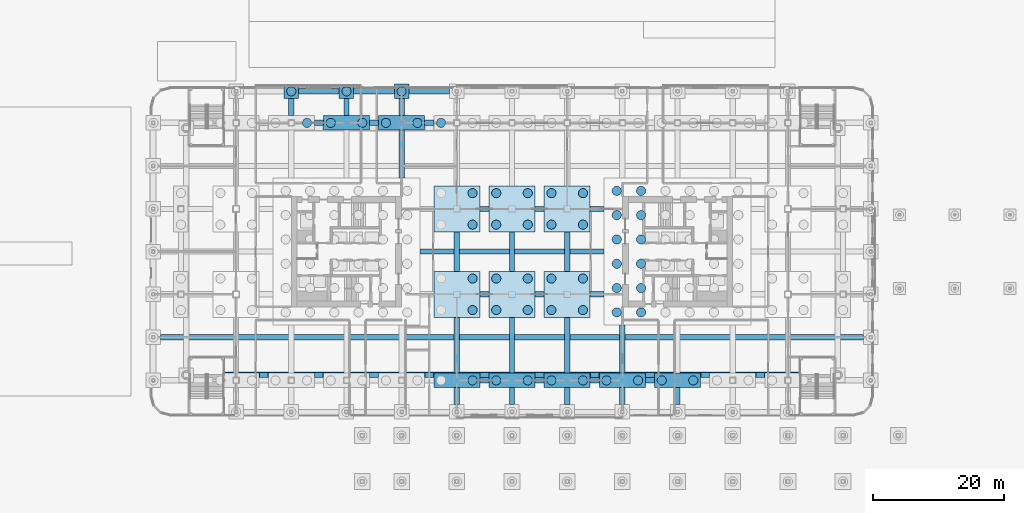
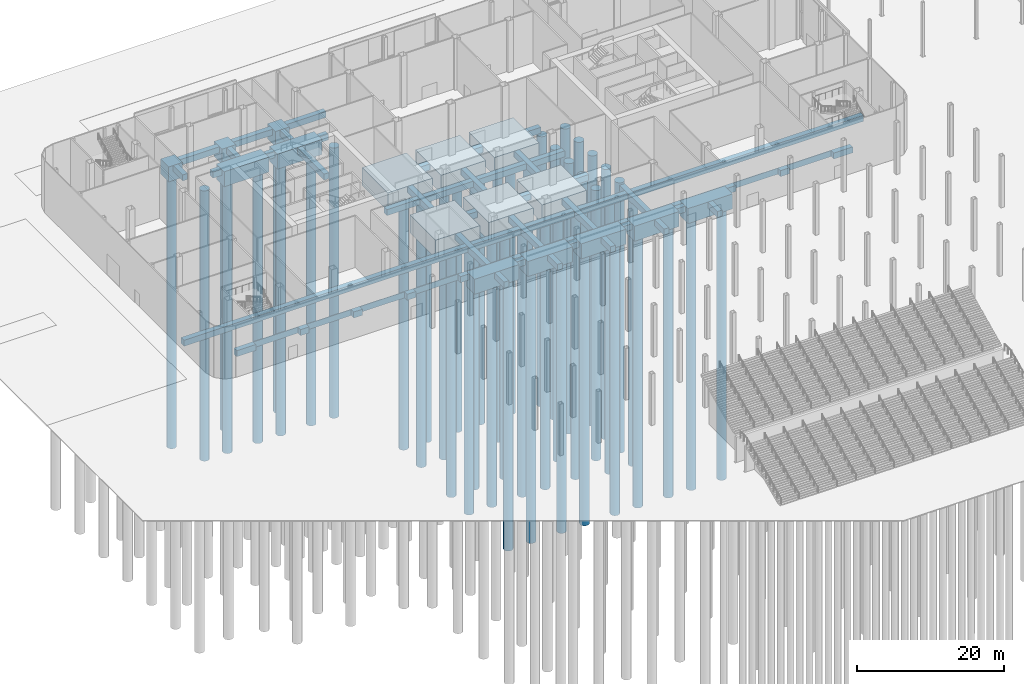
# One storey, part 4 of 113: 51 footings, 50 piles.
"""IFC4 building model written with IfcOpenShell, lengths in metres."""

from ifc_helpers import new_model, si_unit, direction, frame, origin, origin_2d, place, context, subcontext, project, spatial, polyline, circle, outline, extrude, material, layer, layer_set, material_profile, profile_set, type_object, element, save


model = new_model("IFC4")

# Units and contexts
model_context = context("Model", 3, precision=1e-05, world=origin(), true_north=direction((0.0, 1.0)))
body_context = subcontext(model_context, "Body", "Model", "MODEL_VIEW")
ifc_project = project(units=[si_unit("LENGTHUNIT", "METRE"), si_unit("AREAUNIT", "SQUARE_METRE"), si_unit("VOLUMEUNIT", "CUBIC_METRE"), si_unit("PLANEANGLEUNIT", "RADIAN"), si_unit("MASSUNIT", "GRAM", prefix="KILO")], contexts=[model_context])

# Site, building, storey
site_placement = place(None, origin())
site = spatial("IfcSite", under=ifc_project, at=site_placement, CompositionType="ELEMENT")
building_placement = place(site_placement, origin())
building = spatial("IfcBuilding", under=site, at=building_placement, Name="Hakoniwa Tower and Hamabe Station Hall", CompositionType="ELEMENT")
storey_placement = place(building_placement, origin())
storey = spatial("IfcBuildingStorey", under=building, at=storey_placement, Name="L01", CompositionType="ELEMENT", Elevation=0.0)

# Piles
ifc_material_1 = material(Name="Concrete C36", Category="concrete")
ifc_material_profile = material_profile(ifc_material_1, circle(Radius=0.699951171875, at=origin_2d()), Name="BORED PILE D1400")
ifc_profile_set = profile_set([ifc_material_profile], Name="Concrete C36")
pile_type = type_object("IfcPileType", Name="BORED PILE D1400", PredefinedType="BORED", material=ifc_profile_set)
for number, where, z_axis, x_axis, name in (
    (1, (15.949951171875, -9.25, -4.0), (0.0, 0.0, -1.0), (1.0, 0.0, 0.0), "Raft pile E-11"),
    (2, (15.949951171875, -5.550048828125, -4.0), (0.0, 0.0, -1.0), (1.0, 0.0, 0.0), "Raft pile E-12"),
    (3, (15.949951171875, -1.85009765625, -4.0), (0.0, 0.0, -1.0), (1.0, 0.0, 0.0), "Raft pile E-13"),
    (4, (15.949951171875, 1.85009765625, -4.0), (0.0, 0.0, -1.0), (1.0, 0.0, 0.0), "Raft pile E-14"),
    (5, (15.949951171875, 5.550048828125, -4.0), (0.0, 0.0, -1.0), (1.0, 0.0, 0.0), "Raft pile E-15"),
    (6, (15.949951171875, 9.25, -4.0), (0.0, 0.0, -1.0), (1.0, 0.0, 0.0), "Raft pile E-16"),
    (7, (19.64990234375, -9.25, -4.0), (0.0, 0.0, -1.0), (1.0, 0.0, 0.0), "Raft pile E-21"),
    (8, (19.64990234375, -5.550048828125, -4.0), (0.0, 0.0, -1.0), (1.0, 0.0, 0.0), "Raft pile E-22"),
    (9, (19.64990234375, -1.85009765625, -4.0), (0.0, 0.0, -1.0), (1.0, 0.0, 0.0), "Raft pile E-23"),
    (10, (19.64990234375, 1.85009765625, -4.0), (0.0, 0.0, -1.0), (1.0, 0.0, 0.0), "Raft pile E-24"),
    (11, (19.64990234375, 5.550048828125, -4.0), (0.0, 0.0, -1.0), (1.0, 0.0, 0.0), "Raft pile E-25"),
    (12, (19.64990234375, 9.25, -4.0), (0.0, 0.0, -1.0), (1.0, 0.0, 0.0), "Raft pile E-26"),
    (13, (-31.199951171875, 19.60009765625, -2.800048828125), (0.0, 0.0, -1.0), (1.0, 0.0, 0.0), "Pile P-3-G1 2"),
    (14, (-27.60009765625, 19.60009765625, -2.800048828125), (0.0, 0.0, -1.0), (1.0, 0.0, 0.0), "Pile P-4-G1 1"),
    (15, (-22.800048828125, 19.60009765625, -2.800048828125), (0.0, 0.0, -1.0), (1.0, 0.0, 0.0), "Pile P-4-G1 2"),
    (16, (-19.199951171875, 19.60009765625, -2.800048828125), (0.0, 0.0, -1.0), (1.0, 0.0, 0.0), "Pile P-5-G1 1"),
    (17, (-14.39990234375, 19.60009765625, -2.800048828125), (0.0, 0.0, -1.0), (1.0, 0.0, 0.0), "Pile P-5-G1 2"),
    (18, (-6.0, -19.60009765625, -2.800048828125), (0.0, 0.0, -1.0), (1.0, 0.0, 0.0), "Pile P-6-A1 2"),
    (19, (-6.0, -8.89990234375, -3.300048828125), (0.0, 0.0, -1.0), (1.0, 0.0, 0.0), "Pile P-6-C1 2-1"),
    (20, (-6.0, -4.10009765625, -3.300048828125), (0.0, 0.0, -1.0), (1.0, 0.0, 0.0), "Pile P-6-C1 2-2"),
    (21, (-6.0, 4.10009765625, -3.300048828125), (0.0, 0.0, -1.0), (1.0, 0.0, 0.0), "Pile P-6-E1 2-1"),
    (22, (-6.0, 8.89990234375, -3.300048828125), (0.0, 0.0, -1.0), (1.0, 0.0, 0.0), "Pile P-6-E1 2-2"),
    (23, (-10.800048828125, 19.60009765625, -2.800048828125), (0.0, 0.0, -1.0), (1.0, 0.0, 0.0), "Pile P-6-G1 1"),
    (24, (-2.39990234375, -19.60009765625, -2.800048828125), (0.0, 0.0, -1.0), (1.0, 0.0, 0.0), "Pile P-7-A1 1"),
    (25, (2.39990234375, -19.60009765625, -2.800048828125), (0.0, 0.0, -1.0), (1.0, 0.0, 0.0), "Pile P-7-A1 2"),
    (26, (-2.39990234375, -8.89990234375, -3.300048828125), (0.0, 0.0, -1.0), (1.0, 0.0, 0.0), "Pile P-7-C1 1-1"),
    (27, (-2.39990234375, -4.10009765625, -3.300048828125), (0.0, 0.0, -1.0), (1.0, 0.0, 0.0), "Pile P-7-C1 1-2"),
    (28, (2.39990234375, -8.89990234375, -3.300048828125), (0.0, 0.0, -1.0), (1.0, 0.0, 0.0), "Pile P-7-C1 2-1"),
    (29, (2.39990234375, -4.10009765625, -3.300048828125), (0.0, 0.0, -1.0), (1.0, 0.0, 0.0), "Pile P-7-C1 2-2"),
    (30, (-2.39990234375, 4.10009765625, -3.300048828125), (0.0, 0.0, -1.0), (1.0, 0.0, 0.0), "Pile P-7-E1 1-1"),
    (31, (-2.39990234375, 8.89990234375, -3.300048828125), (0.0, 0.0, -1.0), (1.0, 0.0, 0.0), "Pile P-7-E1 1-2"),
    (32, (2.39990234375, 4.10009765625, -3.300048828125), (0.0, 0.0, -1.0), (1.0, 0.0, 0.0), "Pile P-7-E1 2-1"),
    (33, (2.39990234375, 8.89990234375, -3.300048828125), (0.0, 0.0, -1.0), (1.0, 0.0, 0.0), "Pile P-7-E1 2-2"),
    (34, (6.0, -19.60009765625, -2.800048828125), (0.0, 0.0, -1.0), (1.0, 0.0, 0.0), "Pile P-8-A1 1"),
    (35, (10.800048828125, -19.60009765625, -2.800048828125), (0.0, 0.0, -1.0), (1.0, 0.0, 0.0), "Pile P-8-A1 2"),
    (36, (6.0, -8.89990234375, -3.300048828125), (0.0, 0.0, -1.0), (1.0, 0.0, 0.0), "Pile P-8-C1 1-1"),
    (37, (6.0, -4.10009765625, -3.300048828125), (0.0, 0.0, -1.0), (1.0, 0.0, 0.0), "Pile P-8-C1 1-2"),
    (38, (10.800048828125, -8.89990234375, -3.300048828125), (0.0, 0.0, -1.0), (1.0, 0.0, 0.0), "Pile P-8-C1 2-1"),
    (39, (10.800048828125, -4.10009765625, -3.300048828125), (0.0, 0.0, -1.0), (1.0, 0.0, 0.0), "Pile P-8-C1 2-2"),
    (40, (6.0, 4.10009765625, -3.300048828125), (0.0, 0.0, -1.0), (1.0, 0.0, 0.0), "Pile P-8-E1 1-1"),
    (41, (6.0, 8.89990234375, -3.300048828125), (0.0, 0.0, -1.0), (1.0, 0.0, 0.0), "Pile P-8-E1 1-2"),
    (42, (10.800048828125, 4.10009765625, -3.300048828125), (0.0, 0.0, -1.0), (1.0, 0.0, 0.0), "Pile P-8-E1 2-1"),
    (43, (10.800048828125, 8.89990234375, -3.300048828125), (0.0, 0.0, -1.0), (1.0, 0.0, 0.0), "Pile P-8-E1 2-2"),
    (44, (14.39990234375, -19.60009765625, -2.800048828125), (0.0, 0.0, -1.0), (1.0, 0.0, 0.0), "Pile P-9-A1 1"),
    (45, (19.199951171875, -19.60009765625, -2.800048828125), (0.0, 0.0, -1.0), (1.0, 0.0, 0.0), "Pile P-9-A1 2"),
    (46, (22.800048828125, -19.60009765625, -2.800048828125), (0.0, 0.0, -1.0), (1.0, 0.0, 0.0), "Pile P-10-A1 1"),
    (47, (27.60009765625, -19.60009765625, -2.800048828125), (0.0, 0.0, -1.0), (1.0, 0.0, 0.0), "Pile P-10-A1 2"),
    (48, (-33.60009765625, 24.39990234375, -2.800048828125), (0.0, 0.0, -1.0), (1.0, 0.0, 0.0), "Pile P-3-RN 1"),
    (49, (-25.199951171875, 24.39990234375, -2.800048828125), (0.0, 0.0, -1.0), (1.0, 0.0, 0.0), "Pile P-4-RN 1"),
    (50, (-16.800048828125, 24.39990234375, -2.800048828125), (0.0, 0.0, -1.0), (1.0, 0.0, 0.0), "Pile P-5-RN 1"),
):
    element("IfcPile", number, at=place(storey_placement, frame(where, z_axis=z_axis, x_axis=x_axis)), inside=storey, type_object=pile_type, Name=name, PredefinedType="BORED", context=body_context, shape_type="SweptSolid", body=[
        extrude(circle(Radius=0.699951171875, at=origin_2d()), origin(), (0.0, 0.0, 1.0), 45.0),
    ])

# Footings
ifc_material_2 = material(Name="Concrete C36", Category="concrete")
ifc_layer_1 = layer(ifc_material_2, 1.0)
ifc_layer_set_1 = layer_set([ifc_layer_1], Name="GROUND TIE BEAM")
footing_type_1 = type_object("IfcFootingType", Name="GROUND TIE BEAM", PredefinedType="FOOTING_BEAM", material=ifc_layer_set_1)
footing_1_placement = place(storey_placement, frame((0.0, 0.0, -1.300048828125)))
element("IfcFooting", 51, at=footing_1_placement, inside=storey, type_object=footing_type_1, Name="Ground tie P-6-A1 to P-7-A1", PredefinedType="FOOTING_BEAM", context=body_context, shape_type="SweptSolid", body=[
    extrude(outline(polyline([(-4.89990234375, -19.199951171875), (-4.89990234375, -20.0), (-3.5, -20.0), (-3.5, -19.199951171875), (-4.89990234375, -19.199951171875)])), origin(), (0.0, 0.0, 1.0), 1.0),
])
footing_2_placement = place(storey_placement, frame((0.0, 0.0, -1.300048828125)))
element("IfcFooting", 52, at=footing_2_placement, inside=storey, type_object=footing_type_1, Name="Ground tie P-7-A1 to P-8-A1", PredefinedType="FOOTING_BEAM", context=body_context, shape_type="SweptSolid", body=[
    extrude(outline(polyline([(3.5, -19.199951171875), (3.5, -20.0), (4.89990234375, -20.0), (4.89990234375, -19.199951171875), (3.5, -19.199951171875)])), origin(), (0.0, 0.0, 1.0), 1.0),
])
footing_3_placement = place(storey_placement, frame((0.0, 0.0, -1.300048828125)))
element("IfcFooting", 53, at=footing_3_placement, inside=storey, type_object=footing_type_1, Name="Ground tie P-8-A1 to P-9-A1", PredefinedType="FOOTING_BEAM", context=body_context, shape_type="SweptSolid", body=[
    extrude(outline(polyline([(11.89990234375, -19.199951171875), (11.89990234375, -20.0), (13.300048828125, -20.0), (13.300048828125, -19.199951171875), (11.89990234375, -19.199951171875)])), origin(), (0.0, 0.0, 1.0), 1.0),
])
footing_4_placement = place(storey_placement, frame((0.0, 0.0, -1.300048828125)))
element("IfcFooting", 54, at=footing_4_placement, inside=storey, type_object=footing_type_1, Name="Ground tie P-9-A1 to P-10-A1", PredefinedType="FOOTING_BEAM", context=body_context, shape_type="SweptSolid", body=[
    extrude(outline(polyline([(20.300048828125, -19.199951171875), (20.300048828125, -20.0), (21.699951171875, -20.0), (21.699951171875, -19.199951171875), (20.300048828125, -19.199951171875)])), origin(), (0.0, 0.0, 1.0), 1.0),
])
footing_5_placement = place(storey_placement, frame((0.0, 0.0, -1.300048828125)))
element("IfcFooting", 55, at=footing_5_placement, inside=storey, type_object=footing_type_1, Name="Ground tie P-1-A1 to P-13-A1", PredefinedType="FOOTING_BEAM", context=body_context, shape_type="SweptSolid", body=[
    extrude(outline(polyline([(-30.10009765625, -18.5), (-30.10009765625, -19.203125), (-28.699951171875, -19.203125), (-28.699951171875, -18.5), (-21.699951171875, -18.5), (-21.699951171875, -19.203125), (-20.300048828125, -19.203125), (-20.300048828125, -18.5), (-13.300048828125, -18.5), (-13.300048828125, -19.203125), (-11.89990234375, -19.203125), (-11.89990234375, -18.5), (-4.89990234375, -18.5), (-4.89990234375, -19.203125), (-3.5, -19.203125), (-3.5, -18.5), (3.5, -18.5), (3.5, -19.203125), (4.89990234375, -19.203125), (4.89990234375, -18.5), (11.89990234375, -18.5), (11.89990234375, -19.203125), (13.300048828125, -19.203125), (13.300048828125, -18.5), (20.300048828125, -18.5), (20.300048828125, -19.203125), (21.699951171875, -19.203125), (21.699951171875, -18.5), (28.699951171875, -18.5), (28.699951171875, -19.203125), (30.10009765625, -19.203125), (30.10009765625, -18.5), (37.10009765625, -18.5), (37.10009765625, -19.203125), (38.5, -19.203125), (38.5, -18.5), (45.5, -18.5), (45.5, -19.203125), (48.503173828125, -19.203125), (48.503173828125, -18.403076171875), (-48.503173828125, -18.403076171875), (-48.503173828125, -19.203125), (-45.5, -19.203125), (-45.5, -18.5), (-38.5, -18.5), (-38.5, -19.203125), (-37.10009765625, -19.203125), (-37.10009765625, -18.5), (-30.10009765625, -18.5)])), origin(), (0.0, 0.0, 1.0), 1.0),
])
footing_6_placement = place(storey_placement, frame((0.0, 0.0, -1.300048828125)))
element("IfcFooting", 56, at=footing_6_placement, inside=storey, type_object=footing_type_1, Name="Ground tie P-RW-B1 to P-RE-B1", PredefinedType="FOOTING_BEAM", context=body_context, shape_type="SweptSolid", body=[
    extrude(outline(polyline([(-53.5, -12.64990234375), (-53.5, -13.449951171875), (53.5, -13.449951171875), (53.5, -12.64990234375), (-53.5, -12.64990234375)])), origin(), (0.0, 0.0, 1.0), 1.0),
])
footing_7_placement = place(storey_placement, frame((0.0, 0.0, -1.300048828125)))
element("IfcFooting", 57, at=footing_7_placement, inside=storey, type_object=footing_type_1, Name="Ground tie P-6-C1 to P-7-C1", PredefinedType="FOOTING_BEAM", context=body_context, shape_type="SweptSolid", body=[
    extrude(outline(polyline([(-4.89990234375, -6.10009765625), (-4.89990234375, -6.89990234375), (-3.5, -6.89990234375), (-3.5, -6.10009765625), (-4.89990234375, -6.10009765625)])), origin(), (0.0, 0.0, 1.0), 1.0),
])
footing_8_placement = place(storey_placement, frame((0.0, 0.0, -1.300048828125)))
element("IfcFooting", 58, at=footing_8_placement, inside=storey, type_object=footing_type_1, Name="Ground tie P-7-C1 to P-8-C1", PredefinedType="FOOTING_BEAM", context=body_context, shape_type="SweptSolid", body=[
    extrude(outline(polyline([(3.5, -6.10009765625), (3.5, -6.89990234375), (4.89990234375, -6.89990234375), (4.89990234375, -6.10009765625), (3.5, -6.10009765625)])), origin(), (0.0, 0.0, 1.0), 1.0),
])
footing_9_placement = place(storey_placement, frame((0.0, 0.0, -1.300048828125)))
element("IfcFooting", 59, at=footing_9_placement, inside=storey, type_object=footing_type_1, Name="Ground tie P-8-C1 to P-12-C1", PredefinedType="FOOTING_BEAM", context=body_context, shape_type="SweptSolid", body=[
    extrude(outline(polyline([(11.89990234375, -6.10009765625), (11.89990234375, -6.89990234375), (14.0, -6.89990234375), (14.0, -6.10009765625), (11.89990234375, -6.10009765625)])), origin(), (0.0, 0.0, 1.0), 1.0),
])
footing_10_placement = place(storey_placement, frame((0.0, 0.0, -1.300048828125)))
element("IfcFooting", 60, at=footing_10_placement, inside=storey, type_object=footing_type_1, Name="Ground tie P-RW-D1 to P-RE-D1 2", PredefinedType="FOOTING_BEAM", context=body_context, shape_type="SweptSolid", body=[
    extrude(outline(polyline([(-14.0, -0.39990234375), (14.0, -0.39990234375), (14.0, 0.39990234375), (-14.0, 0.39990234375), (-14.0, -0.39990234375)])), origin(), (0.0, 0.0, 1.0), 1.0),
])
footing_11_placement = place(storey_placement, frame((0.0, 0.0, -1.300048828125)))
element("IfcFooting", 61, at=footing_11_placement, inside=storey, type_object=footing_type_1, Name="Ground tie P-6-E1 to P-7-E1", PredefinedType="FOOTING_BEAM", context=body_context, shape_type="SweptSolid", body=[
    extrude(outline(polyline([(-4.89990234375, 6.89990234375), (-4.89990234375, 6.10009765625), (-3.5, 6.10009765625), (-3.5, 6.89990234375), (-4.89990234375, 6.89990234375)])), origin(), (0.0, 0.0, 1.0), 1.0),
])
footing_12_placement = place(storey_placement, frame((0.0, 0.0, -1.300048828125)))
element("IfcFooting", 62, at=footing_12_placement, inside=storey, type_object=footing_type_1, Name="Ground tie P-7-E1 to P-8-E1", PredefinedType="FOOTING_BEAM", context=body_context, shape_type="SweptSolid", body=[
    extrude(outline(polyline([(3.5, 6.89990234375), (3.5, 6.10009765625), (4.89990234375, 6.10009765625), (4.89990234375, 6.89990234375), (3.5, 6.89990234375)])), origin(), (0.0, 0.0, 1.0), 1.0),
])
footing_13_placement = place(storey_placement, frame((0.0, 0.0, -1.300048828125)))
element("IfcFooting", 63, at=footing_13_placement, inside=storey, type_object=footing_type_1, Name="Ground tie P-8-E1 to P-12-E1", PredefinedType="FOOTING_BEAM", context=body_context, shape_type="SweptSolid", body=[
    extrude(outline(polyline([(11.89990234375, 6.89990234375), (11.89990234375, 6.10009765625), (14.0, 6.10009765625), (14.0, 6.89990234375), (11.89990234375, 6.89990234375)])), origin(), (0.0, 0.0, 1.0), 1.0),
])
footing_14_placement = place(storey_placement, frame((0.0, 0.0, -1.300048828125)))
element("IfcFooting", 64, at=footing_14_placement, inside=storey, type_object=footing_type_1, Name="Ground tie P-3-G1 to P-4-G1", PredefinedType="FOOTING_BEAM", context=body_context, shape_type="SweptSolid", body=[
    extrude(outline(polyline([(-30.10009765625, 20.0), (-30.10009765625, 19.199951171875), (-28.699951171875, 19.199951171875), (-28.699951171875, 20.0), (-30.10009765625, 20.0)])), origin(), (0.0, 0.0, 1.0), 1.0),
])
footing_15_placement = place(storey_placement, frame((0.0, 0.0, -1.300048828125)))
element("IfcFooting", 65, at=footing_15_placement, inside=storey, type_object=footing_type_1, Name="Ground tie P-4-G1 to P-5-G1", PredefinedType="FOOTING_BEAM", context=body_context, shape_type="SweptSolid", body=[
    extrude(outline(polyline([(-21.699951171875, 20.0), (-21.699951171875, 19.199951171875), (-20.300048828125, 19.199951171875), (-20.300048828125, 20.0), (-21.699951171875, 20.0)])), origin(), (0.0, 0.0, 1.0), 1.0),
])
footing_16_placement = place(storey_placement, frame((0.0, 0.0, -1.300048828125)))
element("IfcFooting", 66, at=footing_16_placement, inside=storey, type_object=footing_type_1, Name="Ground tie P-5-G1 to P-6-G1", PredefinedType="FOOTING_BEAM", context=body_context, shape_type="SweptSolid", body=[
    extrude(outline(polyline([(-13.300048828125, 20.0), (-13.300048828125, 19.199951171875), (-11.89990234375, 19.199951171875), (-11.89990234375, 20.0), (-13.300048828125, 20.0)])), origin(), (0.0, 0.0, 1.0), 1.0),
])
footing_17_placement = place(storey_placement, frame((0.0, 0.0, -1.300048828125)))
element("IfcFooting", 67, at=footing_17_placement, inside=storey, type_object=footing_type_1, Name="Ground tie P-3-RN to P-4-RN", PredefinedType="FOOTING_BEAM", context=body_context, shape_type="SweptSolid", body=[
    extrude(outline(polyline([(-32.5, 24.800048828125), (-32.5, 24.0), (-26.300048828125, 24.0), (-26.300048828125, 24.800048828125), (-32.5, 24.800048828125)])), origin(), (0.0, 0.0, 1.0), 1.0),
])
footing_18_placement = place(storey_placement, frame((0.0, 0.0, -1.300048828125)))
element("IfcFooting", 68, at=footing_18_placement, inside=storey, type_object=footing_type_1, Name="Ground tie P-4-RN to P-5-RN", PredefinedType="FOOTING_BEAM", context=body_context, shape_type="SweptSolid", body=[
    extrude(outline(polyline([(-24.10009765625, 24.800048828125), (-24.10009765625, 24.0), (-17.89990234375, 24.0), (-17.89990234375, 24.800048828125), (-24.10009765625, 24.800048828125)])), origin(), (0.0, 0.0, 1.0), 1.0),
])
footing_19_placement = place(storey_placement, frame((0.0, 0.0, -1.300048828125)))
element("IfcFooting", 69, at=footing_19_placement, inside=storey, type_object=footing_type_1, Name="Ground tie P-5-RN to P-6-RN", PredefinedType="FOOTING_BEAM", context=body_context, shape_type="SweptSolid", body=[
    extrude(outline(polyline([(-15.699951171875, 24.800048828125), (-15.699951171875, 24.0), (-9.5, 24.0), (-9.5, 24.800048828125), (-15.699951171875, 24.800048828125)])), origin(), (0.0, 0.0, 1.0), 1.0),
])
footing_20_placement = place(storey_placement, frame((0.0, 0.0, -1.300048828125)))
element("IfcFooting", 70, at=footing_20_placement, inside=storey, type_object=footing_type_1, Name="Ground tie P-3-G1 to P-3-RN 1", PredefinedType="FOOTING_BEAM", context=body_context, shape_type="SweptSolid", body=[
    extrude(outline(polyline([(-34.0, 23.300048828125), (-34.0, 20.699951171875), (-33.199951171875, 20.699951171875), (-33.199951171875, 23.300048828125), (-34.0, 23.300048828125)])), origin(), (0.0, 0.0, 1.0), 1.0),
])
footing_21_placement = place(storey_placement, frame((0.0, 0.0, -1.300048828125)))
element("IfcFooting", 71, at=footing_21_placement, inside=storey, type_object=footing_type_1, Name="Ground tie P-4-G1 to P-4-RN 1", PredefinedType="FOOTING_BEAM", context=body_context, shape_type="SweptSolid", body=[
    extrude(outline(polyline([(-25.60009765625, 23.300048828125), (-25.60009765625, 20.699951171875), (-24.800048828125, 20.699951171875), (-24.800048828125, 23.300048828125), (-25.60009765625, 23.300048828125)])), origin(), (0.0, 0.0, 1.0), 1.0),
])
footing_22_placement = place(storey_placement, frame((0.0, 0.0, -1.300048828125)))
element("IfcFooting", 72, at=footing_22_placement, inside=storey, type_object=footing_type_1, Name="Ground tie P-5-A1 to P-5-G1 2", PredefinedType="FOOTING_BEAM", context=body_context, shape_type="SweptSolid", body=[
    extrude(outline(polyline([(-16.39990234375, 18.5), (-17.199951171875, 18.5), (-17.199951171875, 11.199951171875), (-16.39990234375, 11.199951171875), (-16.39990234375, 18.5)])), origin(), (0.0, 0.0, 1.0), 1.0),
])
footing_23_placement = place(storey_placement, frame((0.0, 0.0, -1.300048828125)))
element("IfcFooting", 73, at=footing_23_placement, inside=storey, type_object=footing_type_1, Name="Ground tie P-5-G1 to P-5-RN 1", PredefinedType="FOOTING_BEAM", context=body_context, shape_type="SweptSolid", body=[
    extrude(outline(polyline([(-17.199951171875, 23.300048828125), (-17.199951171875, 20.699951171875), (-16.39990234375, 20.699951171875), (-16.39990234375, 23.300048828125), (-17.199951171875, 23.300048828125)])), origin(), (0.0, 0.0, 1.0), 1.0),
])
footing_24_placement = place(storey_placement, frame((0.0, 0.0, -1.300048828125)))
element("IfcFooting", 74, at=footing_24_placement, inside=storey, type_object=footing_type_1, Name="Ground tie P-6-RS to P-6-A1 1", PredefinedType="FOOTING_BEAM", context=body_context, shape_type="SweptSolid", body=[
    extrude(outline(polyline([(-8.800048828125, -20.699951171875), (-8.800048828125, -23.300048828125), (-8.0, -23.300048828125), (-8.0, -20.699951171875), (-8.800048828125, -20.699951171875)])), origin(), (0.0, 0.0, 1.0), 1.0),
])
footing_25_placement = place(storey_placement, frame((0.0, 0.0, -1.300048828125)))
element("IfcFooting", 75, at=footing_25_placement, inside=storey, type_object=footing_type_1, Name="Ground tie P-6-A1 to P-6-C1 1", PredefinedType="FOOTING_BEAM", context=body_context, shape_type="SweptSolid", body=[
    extrude(outline(polyline([(-8.800048828125, -10.0), (-8.800048828125, -18.5), (-8.0, -18.5), (-8.0, -10.0), (-8.800048828125, -10.0)])), origin(), (0.0, 0.0, 1.0), 1.0),
])
footing_26_placement = place(storey_placement, frame((0.0, 0.0, -1.300048828125)))
element("IfcFooting", 76, at=footing_26_placement, inside=storey, type_object=footing_type_1, Name="Ground tie P-6-C1 to P-6-E1 1", PredefinedType="FOOTING_BEAM", context=body_context, shape_type="SweptSolid", body=[
    extrude(outline(polyline([(-8.800048828125, 3.0), (-8.800048828125, -3.0), (-8.0, -3.0), (-8.0, 3.0), (-8.800048828125, 3.0)])), origin(), (0.0, 0.0, 1.0), 1.0),
])
footing_27_placement = place(storey_placement, frame((0.0, 0.0, -1.300048828125)))
element("IfcFooting", 77, at=footing_27_placement, inside=storey, type_object=footing_type_1, Name="Ground tie P-7-RS to P-7-A1 1", PredefinedType="FOOTING_BEAM", context=body_context, shape_type="SweptSolid", body=[
    extrude(outline(polyline([(-0.39990234375, -20.699951171875), (-0.39990234375, -23.300048828125), (0.39990234375, -23.300048828125), (0.39990234375, -20.699951171875), (-0.39990234375, -20.699951171875)])), origin(), (0.0, 0.0, 1.0), 1.0),
])
footing_28_placement = place(storey_placement, frame((0.0, 0.0, -1.300048828125)))
element("IfcFooting", 78, at=footing_28_placement, inside=storey, type_object=footing_type_1, Name="Ground tie P-7-A1 to P-7-C1 1", PredefinedType="FOOTING_BEAM", context=body_context, shape_type="SweptSolid", body=[
    extrude(outline(polyline([(-0.39990234375, -10.0), (-0.39990234375, -18.5), (0.39990234375, -18.5), (0.39990234375, -10.0), (-0.39990234375, -10.0)])), origin(), (0.0, 0.0, 1.0), 1.0),
])
footing_29_placement = place(storey_placement, frame((0.0, 0.0, -1.300048828125)))
element("IfcFooting", 79, at=footing_29_placement, inside=storey, type_object=footing_type_1, Name="Ground tie P-7-C1 to P-7-E1 1", PredefinedType="FOOTING_BEAM", context=body_context, shape_type="SweptSolid", body=[
    extrude(outline(polyline([(-0.39990234375, 3.0), (-0.39990234375, -3.0), (0.39990234375, -3.0), (0.39990234375, 3.0), (-0.39990234375, 3.0)])), origin(), (0.0, 0.0, 1.0), 1.0),
])
footing_30_placement = place(storey_placement, frame((0.0, 0.0, -1.300048828125)))
element("IfcFooting", 80, at=footing_30_placement, inside=storey, type_object=footing_type_1, Name="Ground tie P-8-RS to P-8-A1 1", PredefinedType="FOOTING_BEAM", context=body_context, shape_type="SweptSolid", body=[
    extrude(outline(polyline([(8.0, -20.699951171875), (8.0, -23.300048828125), (8.800048828125, -23.300048828125), (8.800048828125, -20.699951171875), (8.0, -20.699951171875)])), origin(), (0.0, 0.0, 1.0), 1.0),
])
footing_31_placement = place(storey_placement, frame((0.0, 0.0, -1.300048828125)))
element("IfcFooting", 81, at=footing_31_placement, inside=storey, type_object=footing_type_1, Name="Ground tie P-8-A1 to P-8-C1 1", PredefinedType="FOOTING_BEAM", context=body_context, shape_type="SweptSolid", body=[
    extrude(outline(polyline([(8.0, -10.0), (8.0, -18.5), (8.800048828125, -18.5), (8.800048828125, -10.0), (8.0, -10.0)])), origin(), (0.0, 0.0, 1.0), 1.0),
])
footing_32_placement = place(storey_placement, frame((0.0, 0.0, -1.300048828125)))
element("IfcFooting", 82, at=footing_32_placement, inside=storey, type_object=footing_type_1, Name="Ground tie P-8-C1 to P-8-E1 1", PredefinedType="FOOTING_BEAM", context=body_context, shape_type="SweptSolid", body=[
    extrude(outline(polyline([(8.0, 3.0), (8.0, -3.0), (8.800048828125, -3.0), (8.800048828125, 3.0), (8.0, 3.0)])), origin(), (0.0, 0.0, 1.0), 1.0),
])
footing_33_placement = place(storey_placement, frame((0.0, 0.0, -1.300048828125)))
element("IfcFooting", 83, at=footing_33_placement, inside=storey, type_object=footing_type_1, Name="Ground tie P-9-RS to P-9-A1 1", PredefinedType="FOOTING_BEAM", context=body_context, shape_type="SweptSolid", body=[
    extrude(outline(polyline([(16.39990234375, -20.699951171875), (16.39990234375, -23.300048828125), (17.199951171875, -23.300048828125), (17.199951171875, -20.699951171875), (16.39990234375, -20.699951171875)])), origin(), (0.0, 0.0, 1.0), 1.0),
])
footing_34_placement = place(storey_placement, frame((0.0, 0.0, -1.300048828125)))
element("IfcFooting", 84, at=footing_34_placement, inside=storey, type_object=footing_type_1, Name="Ground tie P-9-A1 to P-9-G1 1", PredefinedType="FOOTING_BEAM", context=body_context, shape_type="SweptSolid", body=[
    extrude(outline(polyline([(16.39990234375, -11.199951171875), (16.39990234375, -18.5), (17.199951171875, -18.5), (17.199951171875, -11.199951171875), (16.39990234375, -11.199951171875)])), origin(), (0.0, 0.0, 1.0), 1.0),
])
footing_35_placement = place(storey_placement, frame((0.0, 0.0, -1.300048828125)))
element("IfcFooting", 85, at=footing_35_placement, inside=storey, type_object=footing_type_1, Name="Ground tie P-10-RS to P-10-A1 1", PredefinedType="FOOTING_BEAM", context=body_context, shape_type="SweptSolid", body=[
    extrude(outline(polyline([(24.800048828125, -20.699951171875), (24.800048828125, -23.300048828125), (25.60009765625, -23.300048828125), (25.60009765625, -20.699951171875), (24.800048828125, -20.699951171875)])), origin(), (0.0, 0.0, 1.0), 1.0),
])
ifc_material_3 = material(Name="Concrete C36", Category="concrete")
ifc_layer_2 = layer(ifc_material_3, 2.5)
ifc_layer_set_2 = layer_set([ifc_layer_2], Name="PILE CAP 1 PILE")
footing_type_2 = type_object("IfcFootingType", Name="PILE CAP 1 PILE", PredefinedType="PILE_CAP", material=ifc_layer_set_2)
footing_36_placement = place(storey_placement, frame((0.0, 0.0, -2.800048828125)))
element("IfcFooting", 86, at=footing_36_placement, inside=storey, type_object=footing_type_2, Name="Pile cap P-3-RN", PredefinedType="PILE_CAP", context=body_context, shape_type="SweptSolid", body=[
    extrude(outline(polyline([(-32.5, 23.300048828125), (-32.5, 25.5), (-34.699951171875, 25.5), (-34.699951171875, 23.300048828125), (-32.5, 23.300048828125)])), origin(), (0.0, 0.0, 1.0), 2.5),
])
footing_37_placement = place(storey_placement, frame((0.0, 0.0, -2.800048828125)))
element("IfcFooting", 87, at=footing_37_placement, inside=storey, type_object=footing_type_2, Name="Pile cap P-4-RN", PredefinedType="PILE_CAP", context=body_context, shape_type="SweptSolid", body=[
    extrude(outline(polyline([(-24.10009765625, 23.300048828125), (-24.10009765625, 25.5), (-26.300048828125, 25.5), (-26.300048828125, 23.300048828125), (-24.10009765625, 23.300048828125)])), origin(), (0.0, 0.0, 1.0), 2.5),
])
footing_38_placement = place(storey_placement, frame((0.0, 0.0, -2.800048828125)))
element("IfcFooting", 88, at=footing_38_placement, inside=storey, type_object=footing_type_2, Name="Pile cap P-5-RN", PredefinedType="PILE_CAP", context=body_context, shape_type="SweptSolid", body=[
    extrude(outline(polyline([(-15.699951171875, 23.300048828125), (-15.699951171875, 25.5), (-17.89990234375, 25.5), (-17.89990234375, 23.300048828125), (-15.699951171875, 23.300048828125)])), origin(), (0.0, 0.0, 1.0), 2.5),
])
ifc_material_4 = material(Name="Concrete C36", Category="concrete")
ifc_layer_3 = layer(ifc_material_4, 2.5)
ifc_layer_set_3 = layer_set([ifc_layer_3], Name="PILE CAP 2 PILES")
footing_type_3 = type_object("IfcFootingType", Name="PILE CAP 2 PILES", PredefinedType="PILE_CAP", material=ifc_layer_set_3)
footing_39_placement = place(storey_placement, frame((0.0, 0.0, -2.800048828125)))
element("IfcFooting", 89, at=footing_39_placement, inside=storey, type_object=footing_type_3, Name="Pile cap P-4-G1", PredefinedType="PILE_CAP", context=body_context, shape_type="SweptSolid", body=[
    extrude(outline(polyline([(-21.699951171875, 18.5), (-21.699951171875, 20.699951171875), (-28.699951171875, 20.699951171875), (-28.699951171875, 18.5), (-21.699951171875, 18.5)])), origin(), (0.0, 0.0, 1.0), 2.5),
])
footing_40_placement = place(storey_placement, frame((0.0, 0.0, -2.800048828125)))
element("IfcFooting", 90, at=footing_40_placement, inside=storey, type_object=footing_type_3, Name="Pile cap P-5-G1", PredefinedType="PILE_CAP", context=body_context, shape_type="SweptSolid", body=[
    extrude(outline(polyline([(-13.300048828125, 18.5), (-13.300048828125, 20.699951171875), (-20.300048828125, 20.699951171875), (-20.300048828125, 18.5), (-13.300048828125, 18.5)])), origin(), (0.0, 0.0, 1.0), 2.5),
])
footing_41_placement = place(storey_placement, frame((0.0, 0.0, -2.800048828125)))
element("IfcFooting", 91, at=footing_41_placement, inside=storey, type_object=footing_type_3, Name="Pile cap P-6-A1", PredefinedType="PILE_CAP", context=body_context, shape_type="SweptSolid", body=[
    extrude(outline(polyline([(-4.89990234375, -20.699951171875), (-4.89990234375, -18.5), (-11.89990234375, -18.5), (-11.89990234375, -20.699951171875), (-4.89990234375, -20.699951171875)])), origin(), (0.0, 0.0, 1.0), 2.5),
])
footing_42_placement = place(storey_placement, frame((0.0, 0.0, -2.800048828125)))
element("IfcFooting", 92, at=footing_42_placement, inside=storey, type_object=footing_type_3, Name="Pile cap P-7-A1", PredefinedType="PILE_CAP", context=body_context, shape_type="SweptSolid", body=[
    extrude(outline(polyline([(3.5, -20.699951171875), (3.5, -18.5), (-3.5, -18.5), (-3.5, -20.699951171875), (3.5, -20.699951171875)])), origin(), (0.0, 0.0, 1.0), 2.5),
])
footing_43_placement = place(storey_placement, frame((0.0, 0.0, -2.800048828125)))
element("IfcFooting", 93, at=footing_43_placement, inside=storey, type_object=footing_type_3, Name="Pile cap P-8-A1", PredefinedType="PILE_CAP", context=body_context, shape_type="SweptSolid", body=[
    extrude(outline(polyline([(11.89990234375, -20.699951171875), (11.89990234375, -18.5), (4.89990234375, -18.5), (4.89990234375, -20.699951171875), (11.89990234375, -20.699951171875)])), origin(), (0.0, 0.0, 1.0), 2.5),
])
footing_44_placement = place(storey_placement, frame((0.0, 0.0, -2.800048828125)))
element("IfcFooting", 94, at=footing_44_placement, inside=storey, type_object=footing_type_3, Name="Pile cap P-9-A1", PredefinedType="PILE_CAP", context=body_context, shape_type="SweptSolid", body=[
    extrude(outline(polyline([(20.300048828125, -20.699951171875), (20.300048828125, -18.5), (13.300048828125, -18.5), (13.300048828125, -20.699951171875), (20.300048828125, -20.699951171875)])), origin(), (0.0, 0.0, 1.0), 2.5),
])
footing_45_placement = place(storey_placement, frame((0.0, 0.0, -2.800048828125)))
element("IfcFooting", 95, at=footing_45_placement, inside=storey, type_object=footing_type_3, Name="Pile cap P-10-A1", PredefinedType="PILE_CAP", context=body_context, shape_type="SweptSolid", body=[
    extrude(outline(polyline([(28.699951171875, -20.699951171875), (28.699951171875, -18.5), (21.699951171875, -18.5), (21.699951171875, -20.699951171875), (28.699951171875, -20.699951171875)])), origin(), (0.0, 0.0, 1.0), 2.5),
])
ifc_material_5 = material(Name="Concrete C36", Category="concrete")
ifc_layer_4 = layer(ifc_material_5, 3.0)
ifc_layer_set_4 = layer_set([ifc_layer_4], Name="PILE CAP 4 PILES")
footing_type_4 = type_object("IfcFootingType", Name="PILE CAP 4 PILES", PredefinedType="PILE_CAP", material=ifc_layer_set_4)
footing_46_placement = place(storey_placement, frame((0.0, 0.0, -3.300048828125)))
element("IfcFooting", 96, at=footing_46_placement, inside=storey, type_object=footing_type_4, Name="Pile cap P-6-C1", PredefinedType="PILE_CAP", context=body_context, shape_type="SweptSolid", body=[
    extrude(outline(polyline([(-4.89990234375, -10.0), (-4.89990234375, -3.0), (-11.89990234375, -3.0), (-11.89990234375, -10.0), (-4.89990234375, -10.0)])), origin(), (0.0, 0.0, 1.0), 3.0),
])
footing_47_placement = place(storey_placement, frame((0.0, 0.0, -3.300048828125)))
element("IfcFooting", 97, at=footing_47_placement, inside=storey, type_object=footing_type_4, Name="Pile cap P-6-E1", PredefinedType="PILE_CAP", context=body_context, shape_type="SweptSolid", body=[
    extrude(outline(polyline([(-4.89990234375, 3.0), (-4.89990234375, 10.0), (-11.89990234375, 10.0), (-11.89990234375, 3.0), (-4.89990234375, 3.0)])), origin(), (0.0, 0.0, 1.0), 3.0),
])
footing_48_placement = place(storey_placement, frame((0.0, 0.0, -3.300048828125)))
element("IfcFooting", 98, at=footing_48_placement, inside=storey, type_object=footing_type_4, Name="Pile cap P-7-C1", PredefinedType="PILE_CAP", context=body_context, shape_type="SweptSolid", body=[
    extrude(outline(polyline([(3.5, -10.0), (3.5, -3.0), (-3.5, -3.0), (-3.5, -10.0), (3.5, -10.0)])), origin(), (0.0, 0.0, 1.0), 3.0),
])
footing_49_placement = place(storey_placement, frame((0.0, 0.0, -3.300048828125)))
element("IfcFooting", 99, at=footing_49_placement, inside=storey, type_object=footing_type_4, Name="Pile cap P-7-E1", PredefinedType="PILE_CAP", context=body_context, shape_type="SweptSolid", body=[
    extrude(outline(polyline([(3.5, 3.0), (3.5, 10.0), (-3.5, 10.0), (-3.5, 3.0), (3.5, 3.0)])), origin(), (0.0, 0.0, 1.0), 3.0),
])
footing_50_placement = place(storey_placement, frame((0.0, 0.0, -3.300048828125)))
element("IfcFooting", 100, at=footing_50_placement, inside=storey, type_object=footing_type_4, Name="Pile cap P-8-C1", PredefinedType="PILE_CAP", context=body_context, shape_type="SweptSolid", body=[
    extrude(outline(polyline([(11.89990234375, -10.0), (11.89990234375, -3.0), (4.89990234375, -3.0), (4.89990234375, -10.0), (11.89990234375, -10.0)])), origin(), (0.0, 0.0, 1.0), 3.0),
])
footing_51_placement = place(storey_placement, frame((0.0, 0.0, -3.300048828125)))
element("IfcFooting", 101, at=footing_51_placement, inside=storey, type_object=footing_type_4, Name="Pile cap P-8-E1", PredefinedType="PILE_CAP", context=body_context, shape_type="SweptSolid", body=[
    extrude(outline(polyline([(11.89990234375, 3.0), (11.89990234375, 10.0), (4.89990234375, 10.0), (4.89990234375, 3.0), (11.89990234375, 3.0)])), origin(), (0.0, 0.0, 1.0), 3.0),
])

save(model, "model.ifc")
